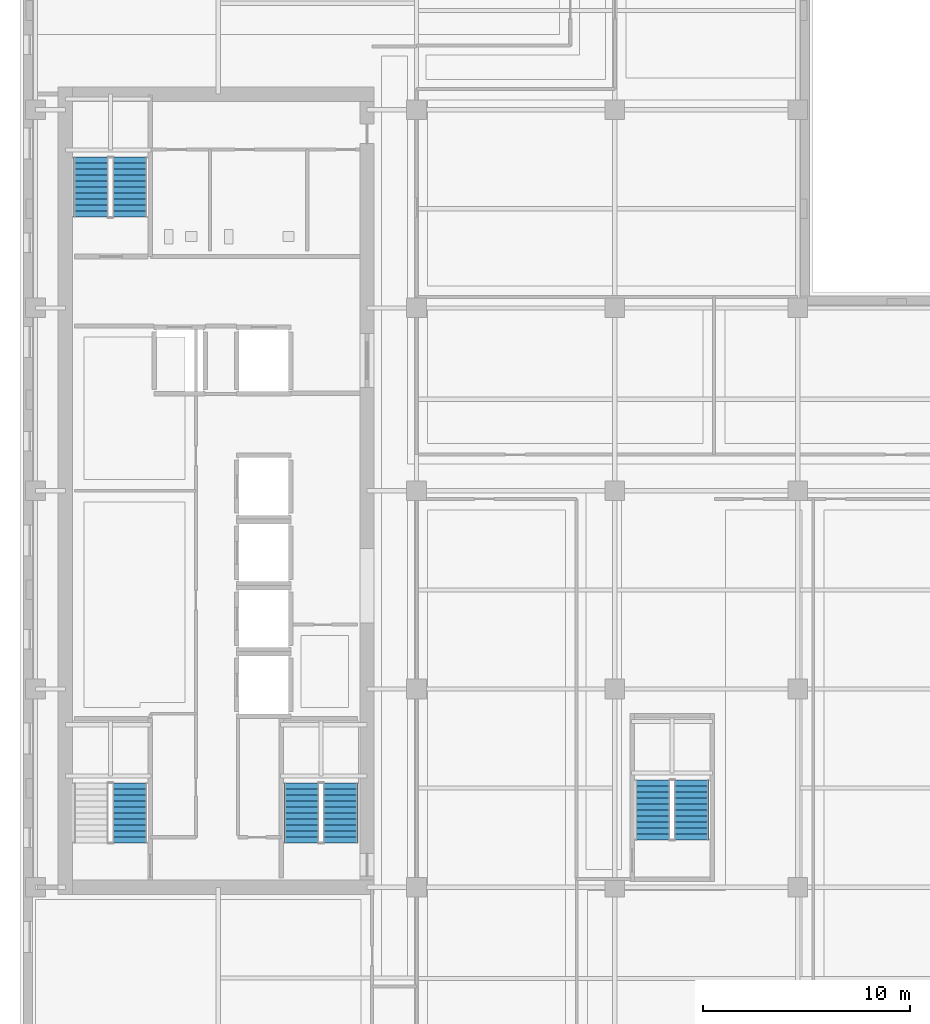
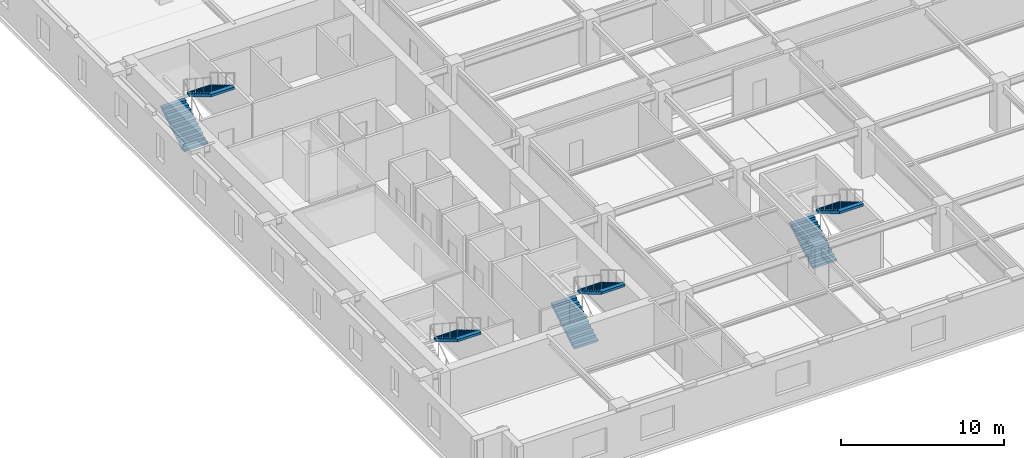
# One storey, part 7 of 12: 7 stair flights, 4 elements without a shape of their own.
"""IFC4 building model written with IfcOpenShell, lengths in metres."""

from ifc_helpers import new_model, si_unit, direction, frame, origin, place, context, subcontext, project, spatial, polyline, outline, extrude, material, type_object, element, aggregate, save


model = new_model("IFC4")

# Units and contexts
model_context = context("Model", 3, precision=1e-05, world=origin(), true_north=direction((0.0, 1.0)))
body_context = subcontext(model_context, "Body", "Model", "MODEL_VIEW")
ifc_project = project(units=[si_unit("LENGTHUNIT", "METRE"), si_unit("AREAUNIT", "SQUARE_METRE"), si_unit("VOLUMEUNIT", "CUBIC_METRE"), si_unit("PLANEANGLEUNIT", "RADIAN"), si_unit("MASSUNIT", "GRAM", prefix="KILO")], contexts=[model_context])

# Site, building, storey
site_placement = place(None, origin())
site = spatial("IfcSite", under=ifc_project, at=site_placement, CompositionType="ELEMENT")
building_placement = place(site_placement, origin())
building = spatial("IfcBuilding", under=site, at=building_placement, Name="Norrvale University Quadrangle", CompositionType="ELEMENT")
storey_placement = place(building_placement, frame((0.0, 0.0, 186.39990234375)))
storey = spatial("IfcBuildingStorey", under=building, at=storey_placement, Name="L47", CompositionType="ELEMENT", Elevation=186.39990234375)

# Stair, stair flight
ifc_material = material(Name="Concrete C40/50", Category="concrete")
stair_type = type_object("IfcStairType", Name="Stair Tower Typ 3800", PredefinedType="TWO_STRAIGHT_RUN_STAIR", material=ifc_material)
stair_1_placement = place(storey_placement, origin())
stair_1 = element("IfcStair", 1, at=stair_1_placement, inside=storey, type_object=stair_type, Name="Exit Stair ST-01 L47", PredefinedType="TWO_STRAIGHT_RUN_STAIR")
stair_flight_type = type_object("IfcStairFlightType", Name="Flight Typ 1500", PredefinedType="STRAIGHT", material=ifc_material)
stair_flight_1_placement = place(storey_placement, frame((5.320068359375, 14.64990234375, 1.900146484375), z_axis=(0.0, 0.0, 1.0), x_axis=(0.0, -1.0, 0.0)))
stair_flight_1 = element("IfcStairFlight", 2, at=stair_flight_1_placement, type_object=stair_flight_type, Name="Exit Stair ST-01 L47 Upper Flight", NumberOfRisers=11, NumberOfTreads=10, PredefinedType="STRAIGHT", RiserHeight=0.172727, TreadLength=0.29, context=body_context, shape_type="SweptSolid", body=[
    extrude(outline(polyline([(0.0, 0.0), (0.0, 0.172607421875), (0.2900390625, 0.172607421875), (0.2900390625, 0.345458984375), (0.580078125, 0.345458984375), (0.580078125, 0.51806640625), (0.8701171875, 0.51806640625), (0.8701171875, 0.69091796875), (1.159912109375, 0.69091796875), (1.159912109375, 0.863525390625), (1.449951171875, 0.863525390625), (1.449951171875, 1.036376953125), (1.739990234375, 1.036376953125), (1.739990234375, 1.208984375), (2.030029296875, 1.208984375), (2.030029296875, 1.3818359375), (2.320068359375, 1.3818359375), (2.320068359375, 1.554443359375), (2.610107421875, 1.554443359375), (2.610107421875, 1.727294921875), (2.89990234375, 1.727294921875), (2.89990234375, 1.89990234375), (2.89990234375, 1.552734375), (0.29296875, 0.0), (0.0, 0.0)])), frame((0.0, 0.83984375, 0.0), z_axis=(0.0, -1.0, 0.0), x_axis=(1.0, 0.0, 0.0)), (0.0, 0.0, 1.0), 1.679931640625),
])
aggregate(stair_1, [stair_flight_1])

# Stair, stair flights
stair_2_placement = place(storey_placement, origin())
stair_2 = element("IfcStair", 3, at=stair_2_placement, inside=storey, type_object=stair_type, Name="Exit Stair ST-02 L47", PredefinedType="TWO_STRAIGHT_RUN_STAIR")
stair_flight_2_placement = place(storey_placement, frame((3.429931640625, 42.050048828125, 0.0), z_axis=(0.0, 0.0, 1.0), x_axis=(0.0, 1.0, 0.0)))
stair_flight_2 = element("IfcStairFlight", 4, at=stair_flight_2_placement, type_object=stair_flight_type, Name="Exit Stair ST-02 L47 Lower Flight", NumberOfRisers=11, NumberOfTreads=10, PredefinedType="STRAIGHT", RiserHeight=0.172727, TreadLength=0.29, context=body_context, shape_type="SweptSolid", body=[
    extrude(outline(polyline([(0.0, 0.0), (0.0, 0.172607421875), (0.2900390625, 0.172607421875), (0.2900390625, 0.345458984375), (0.580078125, 0.345458984375), (0.580078125, 0.51806640625), (0.8701171875, 0.51806640625), (0.8701171875, 0.69091796875), (1.159912109375, 0.69091796875), (1.159912109375, 0.863525390625), (1.449951171875, 0.863525390625), (1.449951171875, 1.036376953125), (1.739990234375, 1.036376953125), (1.739990234375, 1.208984375), (2.030029296875, 1.208984375), (2.030029296875, 1.3818359375), (2.320068359375, 1.3818359375), (2.320068359375, 1.554443359375), (2.610107421875, 1.554443359375), (2.610107421875, 1.727294921875), (2.89990234375, 1.727294921875), (2.89990234375, 1.89990234375), (2.89990234375, 1.552734375), (0.29296875, 0.0), (0.0, 0.0)])), frame((0.0, 0.83984375, 0.0), z_axis=(0.0, -1.0, 0.0), x_axis=(1.0, 0.0, 0.0)), (0.0, 0.0, 1.0), 1.679931640625),
])
stair_flight_3_placement = place(storey_placement, frame((5.320068359375, 44.949951171875, 1.900146484375), z_axis=(0.0, 0.0, 1.0), x_axis=(0.0, -1.0, 0.0)))
stair_flight_3 = element("IfcStairFlight", 5, at=stair_flight_3_placement, type_object=stair_flight_type, Name="Exit Stair ST-02 L47 Upper Flight", NumberOfRisers=11, NumberOfTreads=10, PredefinedType="STRAIGHT", RiserHeight=0.172727, TreadLength=0.29, context=body_context, shape_type="SweptSolid", body=[
    extrude(outline(polyline([(0.0, 0.0), (0.0, 0.172607421875), (0.2900390625, 0.172607421875), (0.2900390625, 0.345458984375), (0.580078125, 0.345458984375), (0.580078125, 0.51806640625), (0.8701171875, 0.51806640625), (0.8701171875, 0.69091796875), (1.159912109375, 0.69091796875), (1.159912109375, 0.863525390625), (1.449951171875, 0.863525390625), (1.449951171875, 1.036376953125), (1.739990234375, 1.036376953125), (1.739990234375, 1.208984375), (2.030029296875, 1.208984375), (2.030029296875, 1.3818359375), (2.320068359375, 1.3818359375), (2.320068359375, 1.554443359375), (2.610107421875, 1.554443359375), (2.610107421875, 1.727294921875), (2.89990234375, 1.727294921875), (2.89990234375, 1.89990234375), (2.89990234375, 1.552734375), (0.29296875, 0.0), (0.0, 0.0)])), frame((0.0, 0.83984375, 0.0), z_axis=(0.0, -1.0, 0.0), x_axis=(1.0, 0.0, 0.0)), (0.0, 0.0, 1.0), 1.679931640625),
])
aggregate(stair_2, [stair_flight_2, stair_flight_3])

stair_3_placement = place(storey_placement, origin())
stair_3 = element("IfcStair", 6, at=stair_3_placement, inside=storey, type_object=stair_type, Name="Exit Stair ST-03 L47", PredefinedType="TWO_STRAIGHT_RUN_STAIR")
stair_flight_4_placement = place(storey_placement, frame((13.6298828125, 11.75, 0.0), z_axis=(0.0, 0.0, 1.0), x_axis=(0.0, 1.0, 0.0)))
stair_flight_4 = element("IfcStairFlight", 7, at=stair_flight_4_placement, type_object=stair_flight_type, Name="Exit Stair ST-03 L47 Lower Flight", NumberOfRisers=11, NumberOfTreads=10, PredefinedType="STRAIGHT", RiserHeight=0.172727, TreadLength=0.29, context=body_context, shape_type="SweptSolid", body=[
    extrude(outline(polyline([(0.0, 0.0), (0.0, 0.172607421875), (0.2900390625, 0.172607421875), (0.2900390625, 0.345458984375), (0.580078125, 0.345458984375), (0.580078125, 0.51806640625), (0.8701171875, 0.51806640625), (0.8701171875, 0.69091796875), (1.159912109375, 0.69091796875), (1.159912109375, 0.863525390625), (1.449951171875, 0.863525390625), (1.449951171875, 1.036376953125), (1.739990234375, 1.036376953125), (1.739990234375, 1.208984375), (2.030029296875, 1.208984375), (2.030029296875, 1.3818359375), (2.320068359375, 1.3818359375), (2.320068359375, 1.554443359375), (2.610107421875, 1.554443359375), (2.610107421875, 1.727294921875), (2.89990234375, 1.727294921875), (2.89990234375, 1.89990234375), (2.89990234375, 1.552734375), (0.29296875, 0.0), (0.0, 0.0)])), frame((0.0, 0.83984375, 0.0), z_axis=(0.0, -1.0, 0.0), x_axis=(1.0, 0.0, 0.0)), (0.0, 0.0, 1.0), 1.679931640625),
])
stair_flight_5_placement = place(storey_placement, frame((15.52001953125, 14.64990234375, 1.900146484375), z_axis=(0.0, 0.0, 1.0), x_axis=(0.0, -1.0, 0.0)))
stair_flight_5 = element("IfcStairFlight", 8, at=stair_flight_5_placement, type_object=stair_flight_type, Name="Exit Stair ST-03 L47 Upper Flight", NumberOfRisers=11, NumberOfTreads=10, PredefinedType="STRAIGHT", RiserHeight=0.172727, TreadLength=0.29, context=body_context, shape_type="SweptSolid", body=[
    extrude(outline(polyline([(0.0, 0.0), (0.0, 0.172607421875), (0.2900390625, 0.172607421875), (0.2900390625, 0.345458984375), (0.580078125, 0.345458984375), (0.580078125, 0.51806640625), (0.8701171875, 0.51806640625), (0.8701171875, 0.69091796875), (1.159912109375, 0.69091796875), (1.159912109375, 0.863525390625), (1.449951171875, 0.863525390625), (1.449951171875, 1.036376953125), (1.739990234375, 1.036376953125), (1.739990234375, 1.208984375), (2.030029296875, 1.208984375), (2.030029296875, 1.3818359375), (2.320068359375, 1.3818359375), (2.320068359375, 1.554443359375), (2.610107421875, 1.554443359375), (2.610107421875, 1.727294921875), (2.89990234375, 1.727294921875), (2.89990234375, 1.89990234375), (2.89990234375, 1.552734375), (0.29296875, 0.0), (0.0, 0.0)])), frame((0.0, 0.83984375, 0.0), z_axis=(0.0, -1.0, 0.0), x_axis=(1.0, 0.0, 0.0)), (0.0, 0.0, 1.0), 1.679931640625),
])
aggregate(stair_3, [stair_flight_4, stair_flight_5])

stair_4_placement = place(storey_placement, origin())
stair_4 = element("IfcStair", 9, at=stair_4_placement, inside=storey, type_object=stair_type, Name="Exit Stair ST-04 L47", PredefinedType="TWO_STRAIGHT_RUN_STAIR")
stair_flight_6_placement = place(storey_placement, frame((30.6298828125, 11.89990234375, 0.0), z_axis=(0.0, 0.0, 1.0), x_axis=(0.0, 1.0, 0.0)))
stair_flight_6 = element("IfcStairFlight", 10, at=stair_flight_6_placement, type_object=stair_flight_type, Name="Exit Stair ST-04 L47 Lower Flight", NumberOfRisers=11, NumberOfTreads=10, PredefinedType="STRAIGHT", RiserHeight=0.172727, TreadLength=0.29, context=body_context, shape_type="SweptSolid", body=[
    extrude(outline(polyline([(0.0, 0.0), (0.0, 0.172607421875), (0.2900390625, 0.172607421875), (0.2900390625, 0.345458984375), (0.580078125, 0.345458984375), (0.580078125, 0.51806640625), (0.8701171875, 0.51806640625), (0.8701171875, 0.69091796875), (1.159912109375, 0.69091796875), (1.159912109375, 0.863525390625), (1.449951171875, 0.863525390625), (1.449951171875, 1.036376953125), (1.739990234375, 1.036376953125), (1.739990234375, 1.208984375), (2.030029296875, 1.208984375), (2.030029296875, 1.3818359375), (2.320068359375, 1.3818359375), (2.320068359375, 1.554443359375), (2.610107421875, 1.554443359375), (2.610107421875, 1.727294921875), (2.89990234375, 1.727294921875), (2.89990234375, 1.89990234375), (2.89990234375, 1.552734375), (0.29296875, 0.0), (0.0, 0.0)])), frame((0.0, 0.83984375, 0.0), z_axis=(0.0, -1.0, 0.0), x_axis=(1.0, 0.0, 0.0)), (0.0, 0.0, 1.0), 1.679931640625),
])
stair_flight_7_placement = place(storey_placement, frame((32.52001953125, 14.800048828125, 1.900146484375), z_axis=(0.0, 0.0, 1.0), x_axis=(0.0, -1.0, 0.0)))
stair_flight_7 = element("IfcStairFlight", 11, at=stair_flight_7_placement, type_object=stair_flight_type, Name="Exit Stair ST-04 L47 Upper Flight", NumberOfRisers=11, NumberOfTreads=10, PredefinedType="STRAIGHT", RiserHeight=0.172727, TreadLength=0.29, context=body_context, shape_type="SweptSolid", body=[
    extrude(outline(polyline([(0.0, 0.0), (0.0, 0.172607421875), (0.2900390625, 0.172607421875), (0.2900390625, 0.345458984375), (0.580078125, 0.345458984375), (0.580078125, 0.51806640625), (0.8701171875, 0.51806640625), (0.8701171875, 0.69091796875), (1.159912109375, 0.69091796875), (1.159912109375, 0.863525390625), (1.449951171875, 0.863525390625), (1.449951171875, 1.036376953125), (1.739990234375, 1.036376953125), (1.739990234375, 1.208984375), (2.030029296875, 1.208984375), (2.030029296875, 1.3818359375), (2.320068359375, 1.3818359375), (2.320068359375, 1.554443359375), (2.610107421875, 1.554443359375), (2.610107421875, 1.727294921875), (2.89990234375, 1.727294921875), (2.89990234375, 1.89990234375), (2.89990234375, 1.552734375), (0.29296875, 0.0), (0.0, 0.0)])), frame((0.0, 0.83984375, 0.0), z_axis=(0.0, -1.0, 0.0), x_axis=(1.0, 0.0, 0.0)), (0.0, 0.0, 1.0), 1.679931640625),
])
aggregate(stair_4, [stair_flight_6, stair_flight_7])

save(model, "model.ifc")
